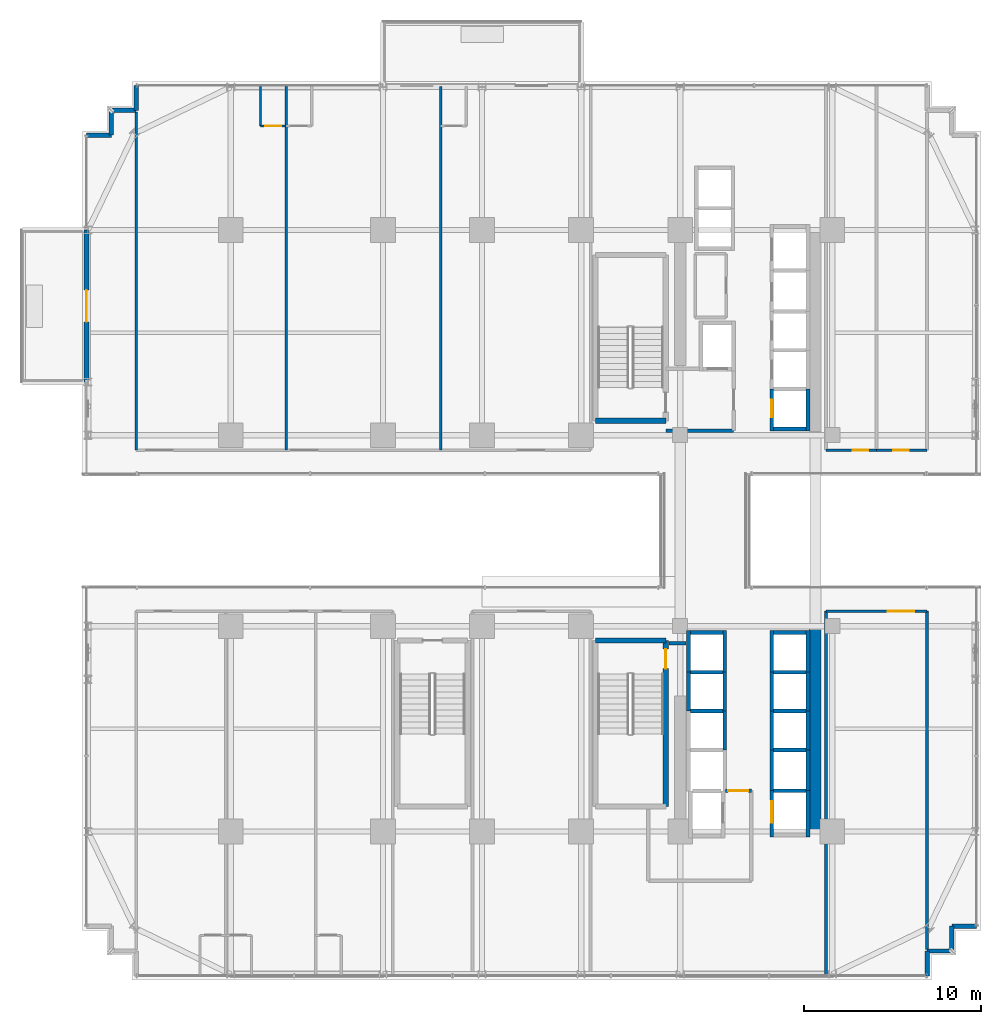
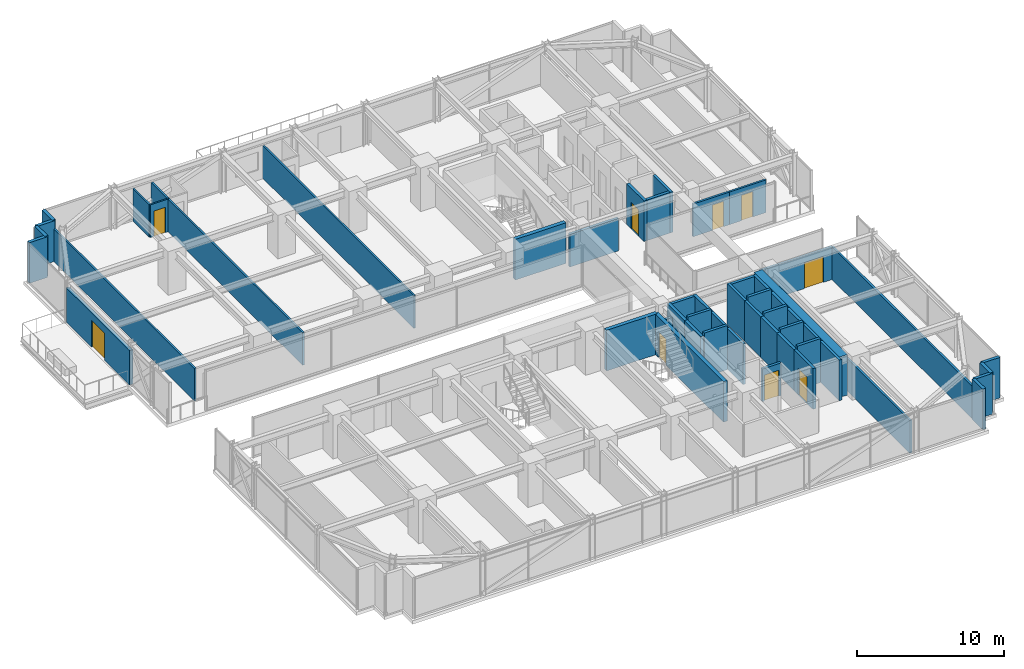
# One storey, part 37 of 43: 52 walls, 9 doors, 9 openings.
"""IFC4 building model written with IfcOpenShell, lengths in metres."""

from ifc_helpers import new_model, si_unit, direction, frame, frame_2d, origin, place, context, subcontext, project, spatial, rectangle, extrude, source, transform, mapped, material, layer, layer_set, type_object, element, fill, save


model = new_model("IFC4")

# Units and contexts
model_context = context("Model", 3, precision=1e-05, world=origin(), true_north=direction((0.0, 1.0)))
body_context = subcontext(model_context, "Body", "Model", "MODEL_VIEW")
ifc_project = project(units=[si_unit("LENGTHUNIT", "METRE"), si_unit("AREAUNIT", "SQUARE_METRE"), si_unit("VOLUMEUNIT", "CUBIC_METRE"), si_unit("PLANEANGLEUNIT", "RADIAN"), si_unit("MASSUNIT", "GRAM", prefix="KILO")], contexts=[model_context])

# Site, building, storey
site_placement = place(None, origin())
site = spatial("IfcSite", under=ifc_project, at=site_placement, CompositionType="ELEMENT")
building_placement = place(site_placement, origin())
building = spatial("IfcBuilding", under=site, at=building_placement, Name="Nahalor Promenade Grand Hotel", CompositionType="ELEMENT")
storey_placement = place(building_placement, frame((0.0, 0.0, 47.0)))
storey = spatial("IfcBuildingStorey", under=building, at=storey_placement, Name="L10", CompositionType="ELEMENT", Elevation=47.0)

# Walls
ifc_material_1 = material(Name="Concrete B-60 (C50/60)", Category="concrete")
ifc_layer_1 = layer(ifc_material_1, 0.64990234375)
ifc_layer_set_1 = layer_set([ifc_layer_1], Name="Concrete B-60 (C50/60)")
wall_type_1 = type_object("IfcWallType", Name="Wall-CoreShear-650", PredefinedType="SHEAR", material=ifc_layer_set_1)
shared_shape_1 = source(origin(), body_context, "Body", "SweptSolid", [
    extrude(rectangle(XDim=11.60009765625, YDim=0.64990234375, at=frame_2d((5.800048828125, 0.0))), origin(), (0.0, 0.0, 1.0), 3.3701171875),
])
wall_1_placement = place(storey_placement, frame((16.050048828125, -17.0, 0.0), z_axis=(0.0, 0.0, 1.0), x_axis=(0.0, 1.0, 0.0)))
element("IfcWall", 1, at=wall_1_placement, inside=storey, type_object=wall_type_1, Name="CWALL-L10-SE", PredefinedType="SHEAR", context=body_context, shape_type="MappedRepresentation", body=[
    mapped(shared_shape_1, transform((0.0, 0.0, 0.0), scale=1.0)),
])
ifc_material_2 = material(Name="Concrete B-50 (C40/50)", Category="concrete")
ifc_layer_2 = layer(ifc_material_2, 0.300048828125)
ifc_layer_set_2 = layer_set([ifc_layer_2], Name="Concrete B-50 (C40/50)")
wall_type_2 = type_object("IfcWallType", Name="Wall-ShaftShear-300", PredefinedType="SHEAR", material=ifc_layer_set_2)
shared_shape_2 = source(origin(), body_context, "Body", "SweptSolid", [
    extrude(rectangle(XDim=3.97998046875, YDim=0.300048828125, at=frame_2d((1.989990234375, 0.0))), origin(), (0.0, 0.0, 1.0), 3.3701171875),
])
for number, where, z_axis, x_axis, name in (
    (2, (3.610107421875, 6.2099609375, 0.0), (0.0, 0.0, 1.0), (1.0, 0.0, 0.0), "L10 Exit Stair ST1 Shaft Wall S"),
    (3, (3.610107421875, -6.2099609375, 0.0), (0.0, 0.0, 1.0), (1.0, 0.0, 0.0), "L10 Exit Stair ST2 Shaft Wall N"),
):
    element("IfcWall", number, at=place(storey_placement, frame(where, z_axis=z_axis, x_axis=x_axis)), inside=storey, type_object=wall_type_2, Name=name, PredefinedType="SHEAR", context=body_context, shape_type="MappedRepresentation", body=[
        mapped(shared_shape_2, transform((0.0, 0.0, 0.0), scale=1.0)),
    ])

# Wall, opening, door
shared_shape_3 = source(origin(), body_context, "Body", "SweptSolid", [
    extrude(rectangle(XDim=9.380126953125, YDim=0.300048828125, at=frame_2d((4.68994140625, 0.0))), origin(), (0.0, 0.0, 1.0), 3.3701171875),
])
wall_2_placement = place(storey_placement, frame((7.590087890625, -15.590087890625, 0.0), z_axis=(0.0, 0.0, 1.0), x_axis=(0.0, 1.0, 0.0)))
wall_2 = element("IfcWall", 4, at=wall_2_placement, inside=storey, type_object=wall_type_2, Name="L10 Exit Stair ST2 Shaft Wall E", PredefinedType="SHEAR", context=body_context, shape_type="MappedRepresentation", body=[
    mapped(shared_shape_3, transform((0.0, 0.0, 0.0), scale=1.0)),
])
opening_1_placement = place(wall_2_placement, frame((7.7900390625, 0.0, 0.0)))
opening_1 = element("IfcOpeningElement", 5, at=opening_1_placement, cuts=wall_2, Name="Opening D-ST1", PredefinedType="OPENING", context=body_context, shape_type="SweptSolid", body=[
    extrude(rectangle(XDim=1.10009765625, YDim=2.14990234375, at=frame_2d((0.550048828125, 1.074951171875))), frame((0.0, 0.159912109375, 0.0), z_axis=(0.0, -1.0, 0.0), x_axis=(1.0, 0.0, 0.0)), (0.0, 0.0, 1.0), 0.320068359375),
])
ifc_material_3 = material(Name="Steel S355JR", Category="steel")
door_type_1 = type_object("IfcDoorType", Name="Door-StairFire-1100", OperationType="NOTDEFINED", PredefinedType="DOOR", material=ifc_material_3)
shared_shape_4 = source(origin(), body_context, "Body", "SweptSolid", [
    extrude(rectangle(XDim=1.10009765625, YDim=2.14990234375, at=frame_2d((0.550048828125, 1.074951171875))), frame((0.0, 0.02490234375, 0.0), z_axis=(0.0, -1.0, 0.0), x_axis=(1.0, 0.0, 0.0)), (0.0, 0.0, 1.0), 0.050048828125),
])
door_1_placement = place(opening_1_placement, origin())
door_1 = element("IfcDoor", 6, at=door_1_placement, inside=storey, type_object=door_type_1, Name="DR-STAIR-ST2-L10", OperationType="SINGLE_SWING_LEFT", OverallHeight=2.14990234375, OverallWidth=1.10009765625, PredefinedType="DOOR", context=body_context, shape_type="MappedRepresentation", body=[
    mapped(shared_shape_4, transform((0.0, 0.0, 0.0), scale=1.0)),
])
fill(opening_1, door_1)

ifc_layer_3 = layer(ifc_material_2, 0.219970703125)
ifc_layer_set_3 = layer_set([ifc_layer_3], Name="Concrete B-50 (C40/50)")
wall_type_3 = type_object("IfcWallType", Name="Wall-LiftShaft-220", PredefinedType="SHEAR", material=ifc_layer_set_3)
shared_shape_5 = source(origin(), body_context, "Body", "SweptSolid", [
    extrude(rectangle(XDim=2.360107421875, YDim=0.219970703125, at=frame_2d((1.18017578125, 0.0))), origin(), (0.0, 0.0, 1.0), 3.3701171875),
])
wall_3_placement = place(storey_placement, frame((13.580078125, 5.639892578125, 0.0), z_axis=(0.0, 0.0, 1.0), x_axis=(0.0, 1.0, 0.0)))
wall_3 = element("IfcWall", 7, at=wall_3_placement, inside=storey, type_object=wall_type_3, Name="L10 Lift PL1 Hoistway Wall W", PredefinedType="SHEAR", context=body_context, shape_type="MappedRepresentation", body=[
    mapped(shared_shape_5, transform((0.0, 0.0, 0.0), scale=1.0)),
])
opening_2_placement = place(wall_3_placement, frame((0.760009765625, 0.0, 0.0)))
opening_2 = element("IfcOpeningElement", 8, at=opening_2_placement, cuts=wall_3, Name="Opening LD-01", PredefinedType="OPENING", context=body_context, shape_type="SweptSolid", body=[
    extrude(rectangle(XDim=1.0, YDim=2.199951171875, at=frame_2d((0.5, 1.10009765625))), frame((0.0, 0.119873046875, 0.0), z_axis=(0.0, -1.0, 0.0), x_axis=(1.0, 0.0, 0.0)), (0.0, 0.0, 1.0), 0.239990234375),
])
door_type_2 = type_object("IfcDoorType", Name="Door-LiftLanding-1000", OperationType="DOUBLE_DOOR_SLIDING", PredefinedType="DOOR", material=ifc_material_3)
shared_shape_6 = source(origin(), body_context, "Body", "SweptSolid", [
    extrude(rectangle(XDim=1.0, YDim=2.199951171875, at=frame_2d((0.5, 1.10009765625))), frame((0.0, 0.02490234375, 0.0), z_axis=(0.0, -1.0, 0.0), x_axis=(1.0, 0.0, 0.0)), (0.0, 0.0, 1.0), 0.050048828125),
])
door_2_placement = place(opening_2_placement, origin())
door_2 = element("IfcDoor", 9, at=door_2_placement, inside=storey, type_object=door_type_2, Name="DR-LIFT-PL1-L10", OperationType="DOUBLE_DOOR_SLIDING", OverallHeight=2.199951171875, OverallWidth=1.0, PredefinedType="DOOR", context=body_context, shape_type="MappedRepresentation", body=[
    mapped(shared_shape_6, transform((0.0, 0.0, 0.0), scale=1.0)),
])
fill(opening_2, door_2)

# Walls
for number, where, z_axis, x_axis, name in (
    (10, (15.6201171875, 5.639892578125, 0.0), (0.0, 0.0, 1.0), (0.0, 1.0, 0.0), "L10 Lift PL1 Hoistway Wall E"),
    (11, (13.580078125, -8.0, 0.0), (0.0, 0.0, 1.0), (0.0, 1.0, 0.0), "L10 Lift PL5 Hoistway Wall W"),
    (12, (15.6201171875, -8.0, 0.0), (0.0, 0.0, 1.0), (0.0, 1.0, 0.0), "L10 Lift PL5 Hoistway Wall E"),
    (13, (8.8798828125, -8.0, 0.0), (0.0, 0.0, 1.0), (0.0, 1.0, 0.0), "L10 Lift PL9 Hoistway Wall W"),
    (14, (10.919921875, -8.0, 0.0), (0.0, 0.0, 1.0), (0.0, 1.0, 0.0), "L10 Lift PL9 Hoistway Wall E"),
):
    element("IfcWall", number, at=place(storey_placement, frame(where, z_axis=z_axis, x_axis=x_axis)), inside=storey, type_object=wall_type_3, Name=name, PredefinedType="SHEAR", context=body_context, shape_type="MappedRepresentation", body=[
        mapped(shared_shape_5, transform((0.0, 0.0, 0.0), scale=1.0)),
    ])
shared_shape_7 = source(origin(), body_context, "Body", "SweptSolid", [
    extrude(rectangle(XDim=1.820068359375, YDim=0.219970703125, at=frame_2d((0.91015625, 0.0))), origin(), (0.0, 0.0, 1.0), 3.3701171875),
])
for number, where, z_axis, x_axis, name in (
    (15, (13.68994140625, 5.75, 0.0), (0.0, 0.0, 1.0), (1.0, 0.0, 0.0), "L10 Lift PL1 Hoistway Wall S"),
    (16, (13.68994140625, -5.75, 0.0), (0.0, 0.0, 1.0), (1.0, 0.0, 0.0), "L10 Lift PL5 Hoistway Wall N"),
    (17, (8.989990234375, -5.75, 0.0), (0.0, 0.0, 1.0), (1.0, 0.0, 0.0), "L10 Lift PL9 Hoistway Wall N"),
):
    element("IfcWall", number, at=place(storey_placement, frame(where, z_axis=z_axis, x_axis=x_axis)), inside=storey, type_object=wall_type_3, Name=name, PredefinedType="SHEAR", context=body_context, shape_type="MappedRepresentation", body=[
        mapped(shared_shape_7, transform((0.0, 0.0, 0.0), scale=1.0)),
    ])
shared_shape_8 = source(origin(), body_context, "Body", "SweptSolid", [
    extrude(rectangle(XDim=1.820068359375, YDim=0.219970703125, at=frame_2d((0.91015625, 0.0))), origin(), (0.0, 0.0, 1.0), 3.64990234375),
])
for number, where, z_axis, x_axis, name in (
    (18, (13.68994140625, -8.0, 0.0), (0.0, 0.0, 1.0), (1.0, 0.0, 0.0), "L10 Lift PL6 Hoistway Wall N"),
    (19, (13.68994140625, -10.199951171875, 0.0), (0.0, 0.0, 1.0), (1.0, 0.0, 0.0), "L10 Lift PL7 Hoistway Wall N"),
    (20, (13.68994140625, -12.39990234375, 0.0), (0.0, 0.0, 1.0), (1.0, 0.0, 0.0), "L10 Lift PL8 Hoistway Wall N"),
    (21, (8.989990234375, -8.0, 0.0), (0.0, 0.0, 1.0), (1.0, 0.0, 0.0), "L10 Lift PL10 Hoistway Wall N"),
    (22, (8.989990234375, -10.199951171875, 0.0), (0.0, 0.0, 1.0), (1.0, 0.0, 0.0), "L10 Lift PL11 Hoistway Wall N"),
    (23, (13.68994140625, -14.699951171875, 0.0), (0.0, 0.0, 1.0), (1.0, 0.0, 0.0), "L10 Lift SV2 Hoistway Wall N"),
):
    element("IfcWall", number, at=place(storey_placement, frame(where, z_axis=z_axis, x_axis=x_axis)), inside=storey, type_object=wall_type_3, Name=name, PredefinedType="SHEAR", context=body_context, shape_type="MappedRepresentation", body=[
        mapped(shared_shape_8, transform((0.0, 0.0, 0.0), scale=1.0)),
    ])
shared_shape_9 = source(origin(), body_context, "Body", "SweptSolid", [
    extrude(rectangle(XDim=2.199951171875, YDim=0.219970703125, at=frame_2d((1.10009765625, 0.0))), origin(), (0.0, 0.0, 1.0), 3.3701171875),
])
for number, where, z_axis, x_axis, name in (
    (24, (13.580078125, -10.199951171875, 0.0), (0.0, 0.0, 1.0), (0.0, 1.0, 0.0), "L10 Lift PL6 Hoistway Wall W"),
    (25, (15.6201171875, -10.199951171875, 0.0), (0.0, 0.0, 1.0), (0.0, 1.0, 0.0), "L10 Lift PL6 Hoistway Wall E"),
    (26, (13.580078125, -12.39990234375, 0.0), (0.0, 0.0, 1.0), (0.0, 1.0, 0.0), "L10 Lift PL7 Hoistway Wall W"),
    (27, (15.6201171875, -12.39990234375, 0.0), (0.0, 0.0, 1.0), (0.0, 1.0, 0.0), "L10 Lift PL7 Hoistway Wall E"),
    (28, (8.8798828125, -10.199951171875, 0.0), (0.0, 0.0, 1.0), (0.0, 1.0, 0.0), "L10 Lift PL10 Hoistway Wall W"),
    (29, (10.919921875, -10.199951171875, 0.0), (0.0, 0.0, 1.0), (0.0, 1.0, 0.0), "L10 Lift PL10 Hoistway Wall E"),
    (30, (10.919921875, -12.39990234375, 0.0), (0.0, 0.0, 1.0), (0.0, 1.0, 0.0), "L10 Lift PL11 Hoistway Wall E"),
):
    element("IfcWall", number, at=place(storey_placement, frame(where, z_axis=z_axis, x_axis=x_axis)), inside=storey, type_object=wall_type_3, Name=name, PredefinedType="SHEAR", context=body_context, shape_type="MappedRepresentation", body=[
        mapped(shared_shape_9, transform((0.0, 0.0, 0.0), scale=1.0)),
    ])
shared_shape_10 = source(origin(), body_context, "Body", "SweptSolid", [
    extrude(rectangle(XDim=2.300048828125, YDim=0.219970703125, at=frame_2d((1.14990234375, 0.0))), origin(), (0.0, 0.0, 1.0), 3.3701171875),
])
for number, where, z_axis, x_axis, name in (
    (31, (13.580078125, -14.699951171875, 0.0), (0.0, 0.0, 1.0), (0.0, 1.0, 0.0), "L10 Lift PL8 Hoistway Wall W"),
    (32, (15.6201171875, -14.699951171875, 0.0), (0.0, 0.0, 1.0), (0.0, 1.0, 0.0), "L10 Lift PL8 Hoistway Wall E"),
):
    element("IfcWall", number, at=place(storey_placement, frame(where, z_axis=z_axis, x_axis=x_axis)), inside=storey, type_object=wall_type_3, Name=name, PredefinedType="SHEAR", context=body_context, shape_type="MappedRepresentation", body=[
        mapped(shared_shape_10, transform((0.0, 0.0, 0.0), scale=1.0)),
    ])

# Wall, opening, door
shared_shape_11 = source(origin(), body_context, "Body", "SweptSolid", [
    extrude(rectangle(XDim=2.610107421875, YDim=0.219970703125, at=frame_2d((1.30517578125, 0.0))), origin(), (0.0, 0.0, 1.0), 3.3701171875),
])
wall_4_placement = place(storey_placement, frame((13.580078125, -17.31005859375, 0.0), z_axis=(0.0, 0.0, 1.0), x_axis=(0.0, 1.0, 0.0)))
wall_4 = element("IfcWall", 33, at=wall_4_placement, inside=storey, type_object=wall_type_3, Name="L10 Lift SV2 Hoistway Wall W", PredefinedType="SHEAR", context=body_context, shape_type="MappedRepresentation", body=[
    mapped(shared_shape_11, transform((0.0, 0.0, 0.0), scale=1.0)),
])
opening_3_placement = place(wall_4_placement, frame((0.81005859375, 0.0, 0.0)))
opening_3 = element("IfcOpeningElement", 34, at=opening_3_placement, cuts=wall_4, Name="Opening LD-03", PredefinedType="OPENING", context=body_context, shape_type="SweptSolid", body=[
    extrude(rectangle(XDim=1.199951171875, YDim=2.199951171875, at=frame_2d((0.60009765625, 1.10009765625))), frame((0.0, 0.119873046875, 0.0), z_axis=(0.0, -1.0, 0.0), x_axis=(1.0, 0.0, 0.0)), (0.0, 0.0, 1.0), 0.239990234375),
])
door_type_3 = type_object("IfcDoorType", Name="Door-LiftService-1200", OperationType="DOUBLE_DOOR_SLIDING", PredefinedType="DOOR", material=ifc_material_3)
shared_shape_12 = source(origin(), body_context, "Body", "SweptSolid", [
    extrude(rectangle(XDim=1.199951171875, YDim=2.199951171875, at=frame_2d((0.60009765625, 1.10009765625))), frame((0.0, 0.02490234375, 0.0), z_axis=(0.0, -1.0, 0.0), x_axis=(1.0, 0.0, 0.0)), (0.0, 0.0, 1.0), 0.050048828125),
])
door_3_placement = place(opening_3_placement, origin())
door_3 = element("IfcDoor", 35, at=door_3_placement, inside=storey, type_object=door_type_3, Name="DR-LIFT-SV2-L10", OperationType="DOUBLE_DOOR_SLIDING", OverallHeight=2.199951171875, OverallWidth=1.199951171875, PredefinedType="DOOR", context=body_context, shape_type="MappedRepresentation", body=[
    mapped(shared_shape_12, transform((0.0, 0.0, 0.0), scale=1.0)),
])
fill(opening_3, door_3)

# Walls
wall_5_placement = place(storey_placement, frame((15.6201171875, -17.31005859375, 0.0), z_axis=(0.0, 0.0, 1.0), x_axis=(0.0, 1.0, 0.0)))
element("IfcWall", 36, at=wall_5_placement, inside=storey, type_object=wall_type_3, Name="L10 Lift SV2 Hoistway Wall E", PredefinedType="SHEAR", context=body_context, shape_type="MappedRepresentation", body=[
    mapped(shared_shape_11, transform((0.0, 0.0, 0.0), scale=1.0)),
])
ifc_material_4 = material(Name="Concrete B-40 (C32/40)", Category="concrete")
ifc_layer_4 = layer(ifc_material_4, 0.25)
ifc_layer_set_4 = layer_set([ifc_layer_4], Name="Concrete B-40 (C32/40)")
wall_type_4 = type_object("IfcWallType", Name="Wall-BronzePier-250", PredefinedType="STANDARD", material=ifc_layer_set_4)
shared_shape_13 = source(origin(), body_context, "Body", "SweptSolid", [
    extrude(rectangle(XDim=1.39990234375, YDim=0.25, at=frame_2d((0.699951171875, 0.0))), origin(), (0.0, 0.0, 1.0), 3.3701171875),
])
for number, where, z_axis, x_axis, name in (
    (37, (22.360107421875, -25.159912109375, 0.0), (0.0, 0.0, 1.0), (0.0, 1.0, 0.0), "W-L10-SR-01"),
    (38, (22.360107421875, -23.760009765625, 0.0), (0.0, 0.0, 1.0), (1.0, 0.0, 0.0), "W-L10-SR-02"),
    (39, (23.760009765625, -23.760009765625, 0.0), (0.0, 0.0, 1.0), (0.0, 1.0, 0.0), "W-L10-SR-03"),
    (40, (23.760009765625, -22.360107421875, 0.0), (0.0, 0.0, 1.0), (1.0, 0.0, 0.0), "W-L10-SR-04"),
    (41, (-22.360107421875, 23.760009765625, 0.0), (0.0, 0.0, 1.0), (0.0, 1.0, 0.0), "W-L10-SR-09"),
    (42, (-23.760009765625, 23.760009765625, 0.0), (0.0, 0.0, 1.0), (1.0, 0.0, 0.0), "W-L10-SR-10"),
    (43, (-23.760009765625, 22.360107421875, 0.0), (0.0, 0.0, 1.0), (0.0, 1.0, 0.0), "W-L10-SR-11"),
    (44, (-25.159912109375, 22.360107421875, 0.0), (0.0, 0.0, 1.0), (1.0, 0.0, 0.0), "W-L10-SR-12"),
):
    element("IfcWall", number, at=place(storey_placement, frame(where, z_axis=z_axis, x_axis=x_axis)), inside=storey, type_object=wall_type_4, Name=name, PredefinedType="STANDARD", context=body_context, shape_type="MappedRepresentation", body=[
        mapped(shared_shape_13, transform((0.0, 0.0, 0.0), scale=1.0)),
    ])

# Wall, opening, door
ifc_layer_5 = layer(ifc_material_4, 0.260009765625)
ifc_layer_set_5 = layer_set([ifc_layer_5], Name="Concrete B-40 (C32/40)")
wall_type_5 = type_object("IfcWallType", Name="Wall-BalconyWall-260", PredefinedType="STANDARD", material=ifc_layer_set_5)
shared_shape_14 = source(origin(), body_context, "Body", "SweptSolid", [
    extrude(rectangle(XDim=8.60009765625, YDim=0.260009765625, at=frame_2d((4.300048828125, 0.0))), origin(), (0.0, 0.0, 1.0), 2.85009765625),
])
wall_6_placement = place(storey_placement, frame((-25.159912109375, 8.39990234375, 0.0), z_axis=(0.0, 0.0, 1.0), x_axis=(0.0, 1.0, 0.0)))
wall_6 = element("IfcWall", 45, at=wall_6_placement, inside=storey, type_object=wall_type_5, Name="W-L10-BALC-W-3", PredefinedType="STANDARD", context=body_context, shape_type="MappedRepresentation", body=[
    mapped(shared_shape_14, transform((0.0, 0.0, 0.0), scale=1.0)),
])
opening_4_placement = place(wall_6_placement, frame((3.39990234375, 0.0, 0.0)))
opening_4 = element("IfcOpeningElement", 46, at=opening_4_placement, cuts=wall_6, Name="Opening D-BC1", PredefinedType="OPENING", context=body_context, shape_type="SweptSolid", body=[
    extrude(rectangle(XDim=1.800048828125, YDim=2.25, at=frame_2d((0.89990234375, 1.125))), frame((0.0, 0.139892578125, 0.0), z_axis=(0.0, -1.0, 0.0), x_axis=(1.0, 0.0, 0.0)), (0.0, 0.0, 1.0), 0.280029296875),
])
ifc_material_5 = material(Name="Anodised Bronze Aluminium EN AW-6063 T6", Category="aluminium")
door_type_4 = type_object("IfcDoorType", Name="Door-BalconySlide-1800", OperationType="DOUBLE_DOOR_SLIDING", PredefinedType="DOOR", material=ifc_material_5)
shared_shape_15 = source(origin(), body_context, "Body", "SweptSolid", [
    extrude(rectangle(XDim=1.800048828125, YDim=2.25, at=frame_2d((0.89990234375, 1.125))), frame((0.0, 0.02490234375, 0.0), z_axis=(0.0, -1.0, 0.0), x_axis=(1.0, 0.0, 0.0)), (0.0, 0.0, 1.0), 0.050048828125),
])
door_4_placement = place(opening_4_placement, origin())
door_4 = element("IfcDoor", 47, at=door_4_placement, inside=storey, type_object=door_type_4, Name="DR-L10-BALC-W-3", OperationType="DOUBLE_DOOR_SLIDING", OverallHeight=2.25, OverallWidth=1.800048828125, PredefinedType="DOOR", context=body_context, shape_type="MappedRepresentation", body=[
    mapped(shared_shape_15, transform((0.0, 0.0, 0.0), scale=1.0)),
])
fill(opening_4, door_4)

# Wall
ifc_layer_6 = layer(ifc_material_4, 0.199951171875)
ifc_layer_set_6 = layer_set([ifc_layer_6], Name="Concrete B-40 (C32/40)")
wall_type_6 = type_object("IfcWallType", Name="Wall-PartFire-200", PredefinedType="PARTITIONING", material=ifc_layer_set_6)
shared_shape_16 = source(origin(), body_context, "Body", "SweptSolid", [
    extrude(rectangle(XDim=3.81982421875, YDim=0.199951171875, at=frame_2d((1.909912109375, 0.0))), origin(), (0.0, 0.0, 1.0), 2.7099609375),
])
wall_7_placement = place(storey_placement, frame((7.60009765625, 5.64990234375, 0.0), z_axis=(0.0, 0.0, 1.0), x_axis=(1.0, 0.0, 0.0)))
element("IfcWall", 48, at=wall_7_placement, inside=storey, type_object=wall_type_6, Name="W-L10-FF1-S", PredefinedType="PARTITIONING", context=body_context, shape_type="MappedRepresentation", body=[
    mapped(shared_shape_16, transform((0.0, 0.0, 0.0), scale=1.0)),
])

# Wall, opening, door
shared_shape_17 = source(origin(), body_context, "Body", "SweptSolid", [
    extrude(rectangle(XDim=1.4599609375, YDim=0.199951171875, at=frame_2d((0.72998046875, 0.0))), origin(), (0.0, 0.0, 1.0), 2.7099609375),
])
wall_8_placement = place(storey_placement, frame((10.9599609375, -14.699951171875, 0.0), z_axis=(0.0, 0.0, 1.0), x_axis=(1.0, 0.0, 0.0)))
wall_8 = element("IfcWall", 49, at=wall_8_placement, inside=storey, type_object=wall_type_6, Name="W-L10-FF2-N1", PredefinedType="PARTITIONING", context=body_context, shape_type="MappedRepresentation", body=[
    mapped(shared_shape_17, transform((0.0, 0.0, 0.0), scale=1.0)),
])
opening_5_placement = place(wall_8_placement, frame((0.14501953125, 0.0, 0.0)))
opening_5 = element("IfcOpeningElement", 50, at=opening_5_placement, cuts=wall_8, Name="Opening D-FF1", PredefinedType="OPENING", context=body_context, shape_type="SweptSolid", body=[
    extrude(rectangle(XDim=1.14990234375, YDim=2.14990234375, at=frame_2d((0.574951171875, 1.074951171875))), frame((0.0, 0.10986328125, 0.0), z_axis=(0.0, -1.0, 0.0), x_axis=(1.0, 0.0, 0.0)), (0.0, 0.0, 1.0), 0.219970703125),
])
door_type_5 = type_object("IfcDoorType", Name="Door-FFLobby-1150", OperationType="NOTDEFINED", PredefinedType="DOOR", material=ifc_material_3)
shared_shape_18 = source(origin(), body_context, "Body", "SweptSolid", [
    extrude(rectangle(XDim=1.14990234375, YDim=2.14990234375, at=frame_2d((0.574951171875, 1.074951171875))), frame((0.0, 0.02490234375, 0.0), z_axis=(0.0, -1.0, 0.0), x_axis=(1.0, 0.0, 0.0)), (0.0, 0.0, 1.0), 0.050048828125),
])
door_5_placement = place(opening_5_placement, origin())
door_5 = element("IfcDoor", 51, at=door_5_placement, inside=storey, type_object=door_type_5, Name="DR-L10-FFL2", OperationType="SINGLE_SWING_LEFT", OverallHeight=2.14990234375, OverallWidth=1.14990234375, PredefinedType="DOOR", context=body_context, shape_type="MappedRepresentation", body=[
    mapped(shared_shape_18, transform((0.0, 0.0, 0.0), scale=1.0)),
])
fill(opening_5, door_5)

# Wall
shared_shape_19 = source(origin(), body_context, "Body", "SweptSolid", [
    extrude(rectangle(XDim=0.969970703125, YDim=0.199951171875, at=frame_2d((0.48486328125, 0.0))), origin(), (0.0, 0.0, 1.0), 2.7099609375),
])
wall_9_placement = place(storey_placement, frame((7.77001953125, -6.35009765625, 0.0), z_axis=(0.0, 0.0, 1.0), x_axis=(1.0, 0.0, 0.0)))
element("IfcWall", 52, at=wall_9_placement, inside=storey, type_object=wall_type_6, Name="W-L10-FF2-N2", PredefinedType="PARTITIONING", context=body_context, shape_type="MappedRepresentation", body=[
    mapped(shared_shape_19, transform((0.0, 0.0, 0.0), scale=1.0)),
])

# Wall, opening, door
ifc_material_6 = material(Name="Acoustic Mineral Gypsum", Category="gypsum")
ifc_layer_7 = layer(ifc_material_6, 0.159912109375)
ifc_layer_set_7 = layer_set([ifc_layer_7], Name="Acoustic Mineral Gypsum")
wall_type_7 = type_object("IfcWallType", Name="Wall-PartCorridor-160", PredefinedType="PARTITIONING", material=ifc_layer_set_7)
shared_shape_20 = source(origin(), body_context, "Body", "SweptSolid", [
    extrude(rectangle(XDim=5.710205078125, YDim=0.159912109375, at=frame_2d((2.85498046875, 0.0))), origin(), (0.0, 0.0, 1.0), 2.7099609375),
])
wall_10_placement = place(storey_placement, frame((16.64990234375, -4.550048828125, 0.0), z_axis=(0.0, 0.0, 1.0), x_axis=(1.0, 0.0, 0.0)))
wall_10 = element("IfcWall", 53, at=wall_10_placement, inside=storey, type_object=wall_type_7, Name="W-L10-ESE-N", PredefinedType="PARTITIONING", context=body_context, shape_type="MappedRepresentation", body=[
    mapped(shared_shape_20, transform((0.0, 0.0, 0.0), scale=1.0)),
])
opening_6_placement = place(wall_10_placement, frame((3.47900390625, 0.0, 0.0)))
opening_6 = element("IfcOpeningElement", 54, at=opening_6_placement, cuts=wall_10, Name="Opening D-02", PredefinedType="OPENING", context=body_context, shape_type="SweptSolid", body=[
    extrude(rectangle(XDim=1.5, YDim=2.14990234375, at=frame_2d((0.75, 1.074951171875))), frame((0.0, 0.08984375, 0.0), z_axis=(0.0, -1.0, 0.0), x_axis=(1.0, 0.0, 0.0)), (0.0, 0.0, 1.0), 0.179931640625),
])
ifc_material_7 = material(Name="Fire-Rated Timber Composite", Category="wood")
door_type_6 = type_object("IfcDoorType", Name="Door-SuiteDouble-1500", OperationType="DOUBLE_DOOR_SINGLE_SWING", PredefinedType="DOOR", material=ifc_material_7)
shared_shape_21 = source(origin(), body_context, "Body", "SweptSolid", [
    extrude(rectangle(XDim=1.5, YDim=2.14990234375, at=frame_2d((0.75, 1.074951171875))), frame((0.0, 0.02490234375, 0.0), z_axis=(0.0, -1.0, 0.0), x_axis=(1.0, 0.0, 0.0)), (0.0, 0.0, 1.0), 0.050048828125),
])
door_6_placement = place(opening_6_placement, frame((1.5, 0.0, 0.0), z_axis=(0.0, 0.0, 1.0), x_axis=(-1.0, 0.0, 0.0)))
door_6 = element("IfcDoor", 55, at=door_6_placement, inside=storey, type_object=door_type_6, Name="DR-L10-ESE", OperationType="DOUBLE_DOOR_SINGLE_SWING", OverallHeight=2.14990234375, OverallWidth=1.5, PredefinedType="DOOR", context=body_context, shape_type="MappedRepresentation", body=[
    mapped(shared_shape_21, transform((0.0, 0.0, 0.0), scale=1.0)),
])
fill(opening_6, door_6)

# Walls
shared_shape_22 = source(origin(), body_context, "Body", "SweptSolid", [
    extrude(rectangle(XDim=20.550048828125, YDim=0.159912109375, at=frame_2d((10.27490234375, 0.0))), origin(), (0.0, 0.0, 1.0), 2.7099609375),
])
wall_11_placement = place(storey_placement, frame((16.64990234375, -25.10009765625, 0.0), z_axis=(0.0, 0.0, 1.0), x_axis=(0.0, 1.0, 0.0)))
element("IfcWall", 56, at=wall_11_placement, inside=storey, type_object=wall_type_7, Name="W-L10-ESE-W", PredefinedType="PARTITIONING", context=body_context, shape_type="MappedRepresentation", body=[
    mapped(shared_shape_22, transform((0.0, 0.0, 0.0), scale=1.0)),
])
shared_shape_23 = source(origin(), body_context, "Body", "SweptSolid", [
    extrude(rectangle(XDim=19.1298828125, YDim=0.159912109375, at=frame_2d((9.56494140625, 0.0))), origin(), (0.0, 0.0, 1.0), 2.7099609375),
])
wall_12_placement = place(storey_placement, frame((22.360107421875, -23.679931640625, 0.0), z_axis=(0.0, 0.0, 1.0), x_axis=(0.0, 1.0, 0.0)))
element("IfcWall", 57, at=wall_12_placement, inside=storey, type_object=wall_type_7, Name="W-L10-ESE-E", PredefinedType="PARTITIONING", context=body_context, shape_type="MappedRepresentation", body=[
    mapped(shared_shape_23, transform((0.0, 0.0, 0.0), scale=1.0)),
])
ifc_layer_8 = layer(ifc_material_6, 0.139892578125)
ifc_layer_set_8 = layer_set([ifc_layer_8], Name="Acoustic Mineral Gypsum")
wall_type_8 = type_object("IfcWallType", Name="Wall-PartSuite-140", PredefinedType="PARTITIONING", material=ifc_layer_set_8)
shared_shape_24 = source(origin(), body_context, "Body", "SweptSolid", [
    extrude(rectangle(XDim=19.1298828125, YDim=0.139892578125, at=frame_2d((9.56494140625, 0.0))), origin(), (0.0, 0.0, 1.0), 2.7099609375),
])
wall_13_placement = place(storey_placement, frame((-22.360107421875, 4.550048828125, 0.0), z_axis=(0.0, 0.0, 1.0), x_axis=(0.0, 1.0, 0.0)))
element("IfcWall", 58, at=wall_13_placement, inside=storey, type_object=wall_type_8, Name="W-L10-NW-ENDW", PredefinedType="PARTITIONING", context=body_context, shape_type="MappedRepresentation", body=[
    mapped(shared_shape_24, transform((0.0, 0.0, 0.0), scale=1.0)),
])
shared_shape_25 = source(origin(), body_context, "Body", "SweptSolid", [
    extrude(rectangle(XDim=20.550048828125, YDim=0.139892578125, at=frame_2d((10.27490234375, 0.0))), origin(), (0.0, 0.0, 1.0), 2.7099609375),
])
for number, where, z_axis, x_axis, name in (
    (59, (-13.87890625, 4.550048828125, 0.0), (0.0, 0.0, 1.0), (0.0, 1.0, 0.0), "W-L10-NP-1"),
    (60, (-5.14111328125, 4.550048828125, 0.0), (0.0, 0.0, 1.0), (0.0, 1.0, 0.0), "W-L10-NP-2"),
):
    element("IfcWall", number, at=place(storey_placement, frame(where, z_axis=z_axis, x_axis=x_axis)), inside=storey, type_object=wall_type_8, Name=name, PredefinedType="PARTITIONING", context=body_context, shape_type="MappedRepresentation", body=[
        mapped(shared_shape_25, transform((0.0, 0.0, 0.0), scale=1.0)),
    ])

# Wall, opening, door
ifc_layer_9 = layer(ifc_material_6, 0.1201171875)
ifc_layer_set_9 = layer_set([ifc_layer_9], Name="Acoustic Mineral Gypsum")
wall_type_9 = type_object("IfcWallType", Name="Wall-PartBath-120", PredefinedType="PARTITIONING", material=ifc_layer_set_9)
shared_shape_26 = source(origin(), body_context, "Body", "SweptSolid", [
    extrude(rectangle(XDim=1.4501953125, YDim=0.1201171875, at=frame_2d((0.72509765625, 0.0))), origin(), (0.0, 0.0, 1.0), 2.7099609375),
])
wall_14_placement = place(storey_placement, frame((-15.3291015625, 22.8798828125, 0.0), z_axis=(0.0, 0.0, 1.0), x_axis=(1.0, 0.0, 0.0)))
wall_14 = element("IfcWall", 61, at=wall_14_placement, inside=storey, type_object=wall_type_9, Name="W-L10-N1-BH", PredefinedType="PARTITIONING", context=body_context, shape_type="MappedRepresentation", body=[
    mapped(shared_shape_26, transform((0.0, 0.0, 0.0), scale=1.0)),
])
opening_7_placement = place(wall_14_placement, frame((0.284912109375, 0.0, 0.0)))
opening_7 = element("IfcOpeningElement", 62, at=opening_7_placement, cuts=wall_14, Name="Opening D-03", PredefinedType="OPENING", context=body_context, shape_type="SweptSolid", body=[
    extrude(rectangle(XDim=0.8798828125, YDim=2.10009765625, at=frame_2d((0.43994140625, 1.050048828125))), frame((0.0, 0.070068359375, 0.0), z_axis=(0.0, -1.0, 0.0), x_axis=(1.0, 0.0, 0.0)), (0.0, 0.0, 1.0), 0.14013671875),
])
door_type_7 = type_object("IfcDoorType", Name="Door-BathSwing-880", OperationType="NOTDEFINED", PredefinedType="DOOR", material=ifc_material_7)
shared_shape_27 = source(origin(), body_context, "Body", "SweptSolid", [
    extrude(rectangle(XDim=0.8798828125, YDim=2.10009765625, at=frame_2d((0.43994140625, 1.050048828125))), frame((0.0, 0.02490234375, 0.0), z_axis=(0.0, -1.0, 0.0), x_axis=(1.0, 0.0, 0.0)), (0.0, 0.0, 1.0), 0.050048828125),
])
door_7_placement = place(opening_7_placement, origin())
door_7 = element("IfcDoor", 63, at=door_7_placement, inside=storey, type_object=door_type_7, Name="DR-L10-N1-BATH", OperationType="SINGLE_SWING_LEFT", OverallHeight=2.10009765625, OverallWidth=0.8798828125, PredefinedType="DOOR", context=body_context, shape_type="MappedRepresentation", body=[
    mapped(shared_shape_27, transform((0.0, 0.0, 0.0), scale=1.0)),
])
fill(opening_7, door_7)

# Wall
shared_shape_28 = source(origin(), body_context, "Body", "SweptSolid", [
    extrude(rectangle(XDim=2.22021484375, YDim=0.1201171875, at=frame_2d((1.110107421875, 0.0))), origin(), (0.0, 0.0, 1.0), 2.7099609375),
])
wall_15_placement = place(storey_placement, frame((-15.3291015625, 22.8798828125, 0.0), z_axis=(0.0, 0.0, 1.0), x_axis=(0.0, 1.0, 0.0)))
element("IfcWall", 64, at=wall_15_placement, inside=storey, type_object=wall_type_9, Name="W-L10-N1-BV", PredefinedType="PARTITIONING", context=body_context, shape_type="MappedRepresentation", body=[
    mapped(shared_shape_28, transform((0.0, 0.0, 0.0), scale=1.0)),
])

# Wall, opening, door
shared_shape_29 = source(origin(), body_context, "Body", "SweptSolid", [
    extrude(rectangle(XDim=2.85498046875, YDim=0.159912109375, at=frame_2d((1.427490234375, 0.0))), origin(), (0.0, 0.0, 1.0), 2.7099609375),
])
wall_16_placement = place(storey_placement, frame((16.64990234375, 4.550048828125, 0.0), z_axis=(0.0, 0.0, 1.0), x_axis=(1.0, 0.0, 0.0)))
wall_16 = element("IfcWall", 65, at=wall_16_placement, inside=storey, type_object=wall_type_7, Name="W-L10-ENE1-S", PredefinedType="PARTITIONING", context=body_context, shape_type="MappedRepresentation", body=[
    mapped(shared_shape_29, transform((0.0, 0.0, 0.0), scale=1.0)),
])
opening_8_placement = place(wall_16_placement, frame((1.510986328125, 0.0, 0.0)))
opening_8 = element("IfcOpeningElement", 66, at=opening_8_placement, cuts=wall_16, Name="Opening D-03", PredefinedType="OPENING", context=body_context, shape_type="SweptSolid", body=[
    extrude(rectangle(XDim=0.8798828125, YDim=2.10009765625, at=frame_2d((0.43994140625, 1.050048828125))), frame((0.0, 0.08984375, 0.0), z_axis=(0.0, -1.0, 0.0), x_axis=(1.0, 0.0, 0.0)), (0.0, 0.0, 1.0), 0.179931640625),
])
door_8_placement = place(opening_8_placement, origin())
door_8 = element("IfcDoor", 67, at=door_8_placement, inside=storey, type_object=door_type_7, Name="DR-L10-ENE1", OperationType="SINGLE_SWING_LEFT", OverallHeight=2.10009765625, OverallWidth=0.8798828125, PredefinedType="DOOR", context=body_context, shape_type="MappedRepresentation", body=[
    mapped(shared_shape_27, transform((0.0, 0.0, 0.0), scale=1.0)),
])
fill(opening_8, door_8)

shared_shape_30 = source(origin(), body_context, "Body", "SweptSolid", [
    extrude(rectangle(XDim=2.855224609375, YDim=0.159912109375, at=frame_2d((1.427734375, 0.0))), origin(), (0.0, 0.0, 1.0), 2.7099609375),
])
wall_17_placement = place(storey_placement, frame((19.5048828125, 4.550048828125, 0.0), z_axis=(0.0, 0.0, 1.0), x_axis=(1.0, 0.0, 0.0)))
wall_17 = element("IfcWall", 68, at=wall_17_placement, inside=storey, type_object=wall_type_7, Name="W-L10-ENE2-S", PredefinedType="PARTITIONING", context=body_context, shape_type="MappedRepresentation", body=[
    mapped(shared_shape_30, transform((0.0, 0.0, 0.0), scale=1.0)),
])
opening_9_placement = place(wall_17_placement, frame((0.93994140625, 0.0, 0.0)))
opening_9 = element("IfcOpeningElement", 69, at=opening_9_placement, cuts=wall_17, Name="Opening D-03", PredefinedType="OPENING", context=body_context, shape_type="SweptSolid", body=[
    extrude(rectangle(XDim=0.8798828125, YDim=2.10009765625, at=frame_2d((0.43994140625, 1.050048828125))), frame((0.0, 0.08984375, 0.0), z_axis=(0.0, -1.0, 0.0), x_axis=(1.0, 0.0, 0.0)), (0.0, 0.0, 1.0), 0.179931640625),
])
door_9_placement = place(opening_9_placement, origin())
door_9 = element("IfcDoor", 70, at=door_9_placement, inside=storey, type_object=door_type_7, Name="DR-L10-ENE2", OperationType="SINGLE_SWING_RIGHT", OverallHeight=2.10009765625, OverallWidth=0.8798828125, PredefinedType="DOOR", context=body_context, shape_type="MappedRepresentation", body=[
    mapped(shared_shape_27, transform((0.0, 0.0, 0.0), scale=1.0)),
])
fill(opening_9, door_9)

save(model, "model.ifc")
